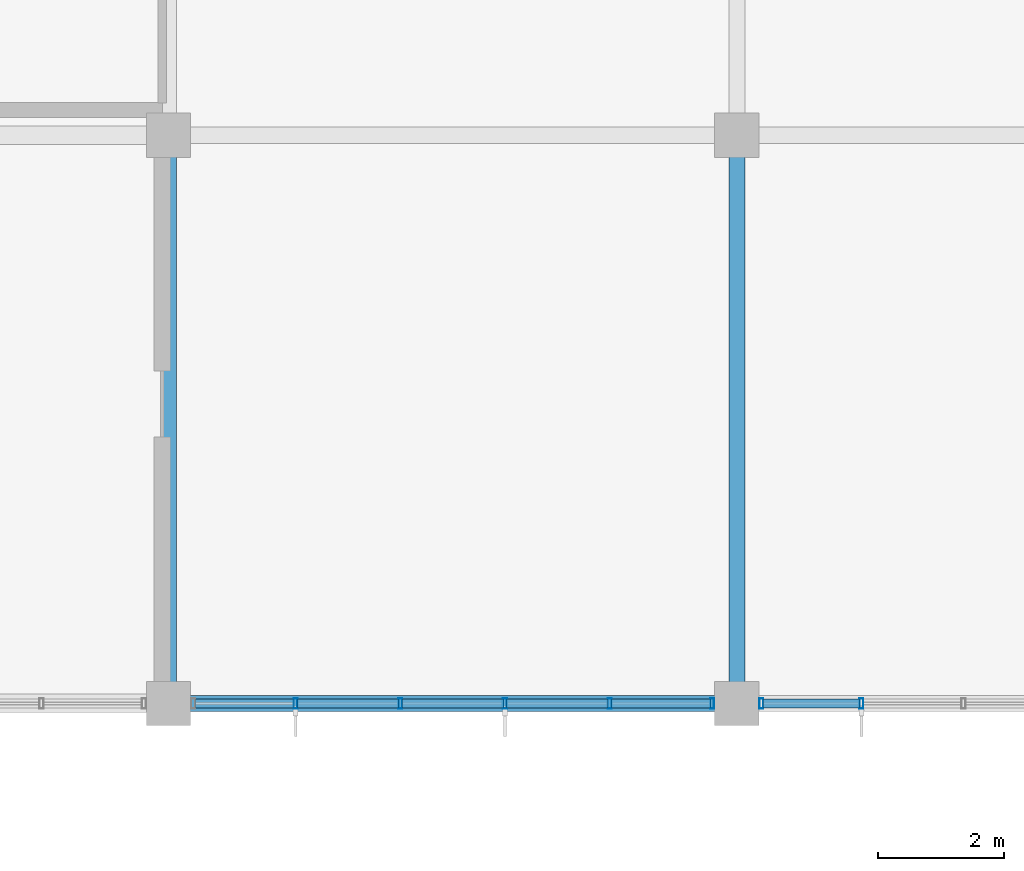
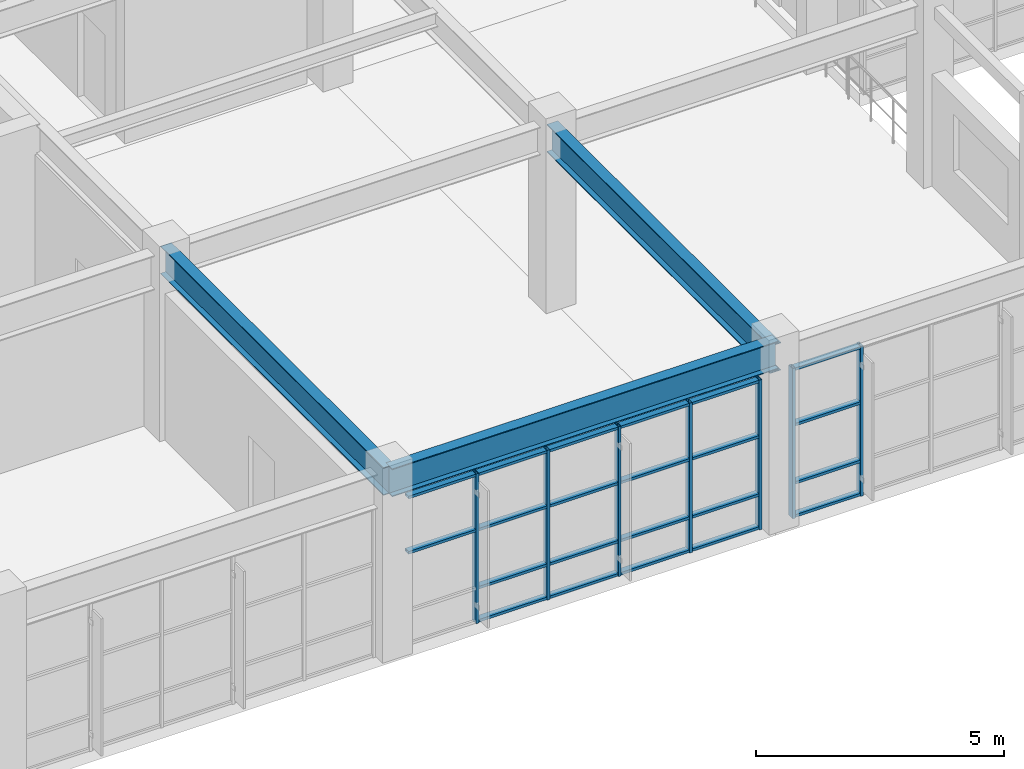
# One storey, part 16 of 99: 29 members, 3 beams, 2 elements without a shape of their own.
"""IFC4 building model written with IfcOpenShell, lengths in metres."""

from ifc_helpers import new_model, si_unit, direction, frame, origin, origin_2d, place, context, subcontext, project, spatial, hollow_rectangle, i_section, extrude, material, layer, layer_set, material_profile, profile_set, type_object, element, aggregate, save


model = new_model("IFC4")

# Units and contexts
model_context = context("Model", 3, precision=1e-05, world=origin(), true_north=direction((0.0, 1.0)))
body_context = subcontext(model_context, "Body", "Model", "MODEL_VIEW")
ifc_project = project(units=[si_unit("LENGTHUNIT", "METRE"), si_unit("AREAUNIT", "SQUARE_METRE"), si_unit("VOLUMEUNIT", "CUBIC_METRE"), si_unit("PLANEANGLEUNIT", "RADIAN"), si_unit("MASSUNIT", "GRAM", prefix="KILO")], contexts=[model_context])

# Site, building, storey
site_placement = place(None, origin())
site = spatial("IfcSite", under=ifc_project, at=site_placement, CompositionType="ELEMENT")
building_placement = place(site_placement, origin())
building = spatial("IfcBuilding", under=site, at=building_placement, Name="Ventoquebrada Cableway Terminal", CompositionType="ELEMENT")
storey_placement = place(building_placement, frame((0.0, 0.0, 9.60009765625)))
storey = spatial("IfcBuildingStorey", under=building, at=storey_placement, Name="L02", CompositionType="ELEMENT", Elevation=9.60009765625)

# Beams
ifc_material_1 = material(Name="Steel ASTM A992 Grade 50", Category="steel")
ifc_material_profile_1 = material_profile(ifc_material_1, i_section(OverallWidth=0.25390625, OverallDepth=0.68798828125, WebThickness=0.01318359375, FlangeThickness=0.02099609375, at=origin_2d()), Name="W27X102")
ifc_profile_set_1 = profile_set([ifc_material_profile_1], Name="Steel ASTM A992 Grade 50")
beam_type = type_object("IfcBeamType", Name="BM-ST04", PredefinedType="BEAM", material=ifc_profile_set_1)
for number, where, z_axis, x_axis, name in (
    (1, (17.199951171875, 68.0, 4.185791015625), (1.0, 0.0, 0.0), (0.0, 1.0, 0.0), "Primary frame girder FBM-0439"),
    (2, (17.199951171875, 68.0, 4.185791015625), (0.0, 1.0, 0.0), (-1.0, 0.0, 0.0), "Primary frame girder FBM-0469"),
    (3, (26.199951171875, 68.0, 4.035888671875), (0.0, 1.0, 0.0), (-1.0, 0.0, 0.0), "Primary frame girder FBM-0474"),
):
    element("IfcBeam", number, at=place(storey_placement, frame(where, z_axis=z_axis, x_axis=x_axis)), inside=storey, type_object=beam_type, Name=name, PredefinedType="BEAM", context=body_context, shape_type="SweptSolid", body=[
        extrude(i_section(OverallWidth=0.25390625, OverallDepth=0.68798828125, WebThickness=0.01318359375, FlangeThickness=0.02099609375, at=origin_2d()), origin(), (0.0, 0.0, 1.0), 9.0),
    ])

# Curtain wall, members
ifc_material_2 = material(Name="Anodized thermally-broken aluminium", Category="aluminium")
ifc_layer_1 = layer(ifc_material_2, 0.159912109375)
ifc_layer_set_1 = layer_set([ifc_layer_1], Name="Anodized thermally-broken aluminium")
curtain_wall_type_1 = type_object("IfcCurtainWallType", Name="CW-T18", PredefinedType="USERDEFINED", material=ifc_layer_set_1)
curtain_wall_1_placement = place(storey_placement, origin())
curtain_wall_1 = element("IfcCurtainWall", 4, at=curtain_wall_1_placement, inside=storey, type_object=curtain_wall_type_1, Name="Unitised glazed curtain wall CW-041", ObjectType="UNITISED CURTAIN WALL", PredefinedType="USERDEFINED")
ifc_material_profile_2 = material_profile(ifc_material_2, hollow_rectangle(XDim=0.06494140625, YDim=0.159912109375, WallThickness=0.00390625, at=origin_2d()), Name="CW-MUL-65X160")
ifc_profile_set_2 = profile_set([ifc_material_profile_2], Name="Anodized thermally-broken aluminium")
member_type_1 = type_object("IfcMemberType", Name="CWM-01", PredefinedType="MULLION", material=ifc_profile_set_2)
member_1_placement = place(storey_placement, frame((19.212890625, 68.0, -0.008056640625), z_axis=(0.0, 0.0, 1.0), x_axis=(1.0, 0.0, 0.0)))
member_1 = element("IfcMember", 5, at=member_1_placement, type_object=member_type_1, Name="Curtain wall mullion FML-0185", PredefinedType="MULLION", context=body_context, shape_type="SweptSolid", body=[
    extrude(hollow_rectangle(XDim=0.06494140625, YDim=0.159912109375, WallThickness=0.00390625, at=origin_2d()), origin(), (0.0, 0.0, 1.0), 3.69189453125),
])
member_2_placement = place(storey_placement, frame((20.87109375, 68.0, -0.008056640625), z_axis=(0.0, 0.0, 1.0), x_axis=(1.0, 0.0, 0.0)))
member_2 = element("IfcMember", 6, at=member_2_placement, type_object=member_type_1, Name="Curtain wall mullion FML-0186", PredefinedType="MULLION", context=body_context, shape_type="SweptSolid", body=[
    extrude(hollow_rectangle(XDim=0.06494140625, YDim=0.159912109375, WallThickness=0.00390625, at=origin_2d()), origin(), (0.0, 0.0, 1.0), 3.69189453125),
])
member_3_placement = place(storey_placement, frame((22.529052734375, 68.0, -0.008056640625), z_axis=(0.0, 0.0, 1.0), x_axis=(1.0, 0.0, 0.0)))
member_3 = element("IfcMember", 7, at=member_3_placement, type_object=member_type_1, Name="Curtain wall mullion FML-0187", PredefinedType="MULLION", context=body_context, shape_type="SweptSolid", body=[
    extrude(hollow_rectangle(XDim=0.06494140625, YDim=0.159912109375, WallThickness=0.00390625, at=origin_2d()), origin(), (0.0, 0.0, 1.0), 3.69189453125),
])
member_4_placement = place(storey_placement, frame((24.18701171875, 68.0, -0.008056640625), z_axis=(0.0, 0.0, 1.0), x_axis=(1.0, 0.0, 0.0)))
member_4 = element("IfcMember", 8, at=member_4_placement, type_object=member_type_1, Name="Curtain wall mullion FML-0188", PredefinedType="MULLION", context=body_context, shape_type="SweptSolid", body=[
    extrude(hollow_rectangle(XDim=0.06494140625, YDim=0.159912109375, WallThickness=0.00390625, at=origin_2d()), origin(), (0.0, 0.0, 1.0), 3.69189453125),
])
member_5_placement = place(storey_placement, frame((25.81005859375, 68.0, -0.008056640625), z_axis=(0.0, 0.0, 1.0), x_axis=(1.0, 0.0, 0.0)))
member_5 = element("IfcMember", 9, at=member_5_placement, type_object=member_type_1, Name="Curtain wall mullion FML-0189", PredefinedType="MULLION", context=body_context, shape_type="SweptSolid", body=[
    extrude(hollow_rectangle(XDim=0.06494140625, YDim=0.159912109375, WallThickness=0.00390625, at=origin_2d()), origin(), (0.0, 0.0, 1.0), 3.69189453125),
])

ifc_layer_2 = layer(ifc_material_2, 0.159912109375)
ifc_layer_set_2 = layer_set([ifc_layer_2], Name="Anodized thermally-broken aluminium")
curtain_wall_type_2 = type_object("IfcCurtainWallType", Name="CW-T19", PredefinedType="USERDEFINED", material=ifc_layer_set_2)
curtain_wall_2_placement = place(storey_placement, origin())
curtain_wall_2 = element("IfcCurtainWall", 10, at=curtain_wall_2_placement, inside=storey, type_object=curtain_wall_type_2, Name="Unitised glazed curtain wall CW-042", ObjectType="UNITISED CURTAIN WALL", PredefinedType="USERDEFINED")
member_6_placement = place(storey_placement, frame((26.590087890625, 68.0, -0.008056640625), z_axis=(0.0, 0.0, 1.0), x_axis=(1.0, 0.0, 0.0)))
member_6 = element("IfcMember", 11, at=member_6_placement, type_object=member_type_1, Name="Curtain wall mullion FML-0190", PredefinedType="MULLION", context=body_context, shape_type="SweptSolid", body=[
    extrude(hollow_rectangle(XDim=0.06494140625, YDim=0.159912109375, WallThickness=0.00390625, at=origin_2d()), origin(), (0.0, 0.0, 1.0), 3.699951171875),
])
member_7_placement = place(storey_placement, frame((28.173095703125, 68.0, -0.008056640625), z_axis=(0.0, 0.0, 1.0), x_axis=(1.0, 0.0, 0.0)))
member_7 = element("IfcMember", 12, at=member_7_placement, type_object=member_type_1, Name="Curtain wall mullion FML-0191", PredefinedType="MULLION", context=body_context, shape_type="SweptSolid", body=[
    extrude(hollow_rectangle(XDim=0.06494140625, YDim=0.159912109375, WallThickness=0.00390625, at=origin_2d()), origin(), (0.0, 0.0, 1.0), 3.699951171875),
])

# Member
ifc_material_profile_3 = material_profile(ifc_material_2, hollow_rectangle(XDim=0.06494140625, YDim=0.139892578125, WallThickness=0.00390625, at=origin_2d()), Name="CW-TRN-65X140")
ifc_profile_set_3 = profile_set([ifc_material_profile_3], Name="Anodized thermally-broken aluminium")
member_type_2 = type_object("IfcMemberType", Name="CWT-01", PredefinedType="USERDEFINED", material=ifc_profile_set_3)
member_8_placement = place(storey_placement, frame((17.616943359375, 68.0, 2.281005859375), z_axis=(1.0, 0.0, 0.0), x_axis=(0.0, 0.0, 1.0)))
member_8 = element("IfcMember", 13, at=member_8_placement, type_object=member_type_2, Name="Curtain wall transom FTR-0553", ObjectType="TRANSOM", PredefinedType="USERDEFINED", context=body_context, shape_type="SweptSolid", body=[
    extrude(hollow_rectangle(XDim=0.06494140625, YDim=0.139892578125, WallThickness=0.00390625, at=origin_2d()), origin(), (0.0, 0.0, 1.0), 1.569091796875),
])

member_9_placement = place(storey_placement, frame((17.616943359375, 68.0, 3.643798828125), z_axis=(1.0, 0.0, 0.0), x_axis=(0.0, 0.0, 1.0)))
member_9 = element("IfcMember", 14, at=member_9_placement, type_object=member_type_2, Name="Curtain wall transom FTR-0554", ObjectType="TRANSOM", PredefinedType="USERDEFINED", context=body_context, shape_type="SweptSolid", body=[
    extrude(hollow_rectangle(XDim=0.06494140625, YDim=0.139892578125, WallThickness=0.00390625, at=origin_2d()), origin(), (0.0, 0.0, 1.0), 1.569091796875),
])

member_10_placement = place(storey_placement, frame((19.240966796875, 68.0, 0.034912109375), z_axis=(1.0, 0.0, 0.0), x_axis=(0.0, 0.0, 1.0)))
member_10 = element("IfcMember", 15, at=member_10_placement, type_object=member_type_2, Name="Curtain wall transom FTR-0555", ObjectType="TRANSOM", PredefinedType="USERDEFINED", context=body_context, shape_type="SweptSolid", body=[
    extrude(hollow_rectangle(XDim=0.06494140625, YDim=0.139892578125, WallThickness=0.00390625, at=origin_2d()), origin(), (0.0, 0.0, 1.0), 1.60205078125),
])

member_11_placement = place(storey_placement, frame((19.240966796875, 68.0, 0.849853515625), z_axis=(1.0, 0.0, 0.0), x_axis=(0.0, 0.0, 1.0)))
member_11 = element("IfcMember", 16, at=member_11_placement, type_object=member_type_2, Name="Curtain wall transom FTR-0556", ObjectType="TRANSOM", PredefinedType="USERDEFINED", context=body_context, shape_type="SweptSolid", body=[
    extrude(hollow_rectangle(XDim=0.06494140625, YDim=0.139892578125, WallThickness=0.00390625, at=origin_2d()), origin(), (0.0, 0.0, 1.0), 1.60205078125),
])

member_12_placement = place(storey_placement, frame((19.240966796875, 68.0, 2.281005859375), z_axis=(1.0, 0.0, 0.0), x_axis=(0.0, 0.0, 1.0)))
member_12 = element("IfcMember", 17, at=member_12_placement, type_object=member_type_2, Name="Curtain wall transom FTR-0557", ObjectType="TRANSOM", PredefinedType="USERDEFINED", context=body_context, shape_type="SweptSolid", body=[
    extrude(hollow_rectangle(XDim=0.06494140625, YDim=0.139892578125, WallThickness=0.00390625, at=origin_2d()), origin(), (0.0, 0.0, 1.0), 1.60205078125),
])

member_13_placement = place(storey_placement, frame((19.240966796875, 68.0, 3.643798828125), z_axis=(1.0, 0.0, 0.0), x_axis=(0.0, 0.0, 1.0)))
member_13 = element("IfcMember", 18, at=member_13_placement, type_object=member_type_2, Name="Curtain wall transom FTR-0558", ObjectType="TRANSOM", PredefinedType="USERDEFINED", context=body_context, shape_type="SweptSolid", body=[
    extrude(hollow_rectangle(XDim=0.06494140625, YDim=0.139892578125, WallThickness=0.00390625, at=origin_2d()), origin(), (0.0, 0.0, 1.0), 1.60205078125),
])

member_14_placement = place(storey_placement, frame((20.89794921875, 68.0, 0.034912109375), z_axis=(1.0, 0.0, 0.0), x_axis=(0.0, 0.0, 1.0)))
member_14 = element("IfcMember", 19, at=member_14_placement, type_object=member_type_2, Name="Curtain wall transom FTR-0559", ObjectType="TRANSOM", PredefinedType="USERDEFINED", context=body_context, shape_type="SweptSolid", body=[
    extrude(hollow_rectangle(XDim=0.06494140625, YDim=0.139892578125, WallThickness=0.00390625, at=origin_2d()), origin(), (0.0, 0.0, 1.0), 1.60400390625),
])

member_15_placement = place(storey_placement, frame((20.89794921875, 68.0, 0.849853515625), z_axis=(1.0, 0.0, 0.0), x_axis=(0.0, 0.0, 1.0)))
member_15 = element("IfcMember", 20, at=member_15_placement, type_object=member_type_2, Name="Curtain wall transom FTR-0560", ObjectType="TRANSOM", PredefinedType="USERDEFINED", context=body_context, shape_type="SweptSolid", body=[
    extrude(hollow_rectangle(XDim=0.06494140625, YDim=0.139892578125, WallThickness=0.00390625, at=origin_2d()), origin(), (0.0, 0.0, 1.0), 1.60400390625),
])

member_16_placement = place(storey_placement, frame((20.89794921875, 68.0, 2.281005859375), z_axis=(1.0, 0.0, 0.0), x_axis=(0.0, 0.0, 1.0)))
member_16 = element("IfcMember", 21, at=member_16_placement, type_object=member_type_2, Name="Curtain wall transom FTR-0561", ObjectType="TRANSOM", PredefinedType="USERDEFINED", context=body_context, shape_type="SweptSolid", body=[
    extrude(hollow_rectangle(XDim=0.06494140625, YDim=0.139892578125, WallThickness=0.00390625, at=origin_2d()), origin(), (0.0, 0.0, 1.0), 1.60400390625),
])

member_17_placement = place(storey_placement, frame((20.89794921875, 68.0, 3.643798828125), z_axis=(1.0, 0.0, 0.0), x_axis=(0.0, 0.0, 1.0)))
member_17 = element("IfcMember", 22, at=member_17_placement, type_object=member_type_2, Name="Curtain wall transom FTR-0562", ObjectType="TRANSOM", PredefinedType="USERDEFINED", context=body_context, shape_type="SweptSolid", body=[
    extrude(hollow_rectangle(XDim=0.06494140625, YDim=0.139892578125, WallThickness=0.00390625, at=origin_2d()), origin(), (0.0, 0.0, 1.0), 1.60400390625),
])

member_18_placement = place(storey_placement, frame((22.555908203125, 68.0, 0.034912109375), z_axis=(1.0, 0.0, 0.0), x_axis=(0.0, 0.0, 1.0)))
member_18 = element("IfcMember", 23, at=member_18_placement, type_object=member_type_2, Name="Curtain wall transom FTR-0563", ObjectType="TRANSOM", PredefinedType="USERDEFINED", context=body_context, shape_type="SweptSolid", body=[
    extrude(hollow_rectangle(XDim=0.06494140625, YDim=0.139892578125, WallThickness=0.00390625, at=origin_2d()), origin(), (0.0, 0.0, 1.0), 1.60400390625),
])

member_19_placement = place(storey_placement, frame((22.555908203125, 68.0, 0.849853515625), z_axis=(1.0, 0.0, 0.0), x_axis=(0.0, 0.0, 1.0)))
member_19 = element("IfcMember", 24, at=member_19_placement, type_object=member_type_2, Name="Curtain wall transom FTR-0564", ObjectType="TRANSOM", PredefinedType="USERDEFINED", context=body_context, shape_type="SweptSolid", body=[
    extrude(hollow_rectangle(XDim=0.06494140625, YDim=0.139892578125, WallThickness=0.00390625, at=origin_2d()), origin(), (0.0, 0.0, 1.0), 1.60400390625),
])

member_20_placement = place(storey_placement, frame((22.555908203125, 68.0, 2.281005859375), z_axis=(1.0, 0.0, 0.0), x_axis=(0.0, 0.0, 1.0)))
member_20 = element("IfcMember", 25, at=member_20_placement, type_object=member_type_2, Name="Curtain wall transom FTR-0565", ObjectType="TRANSOM", PredefinedType="USERDEFINED", context=body_context, shape_type="SweptSolid", body=[
    extrude(hollow_rectangle(XDim=0.06494140625, YDim=0.139892578125, WallThickness=0.00390625, at=origin_2d()), origin(), (0.0, 0.0, 1.0), 1.60400390625),
])

member_21_placement = place(storey_placement, frame((22.555908203125, 68.0, 3.643798828125), z_axis=(1.0, 0.0, 0.0), x_axis=(0.0, 0.0, 1.0)))
member_21 = element("IfcMember", 26, at=member_21_placement, type_object=member_type_2, Name="Curtain wall transom FTR-0566", ObjectType="TRANSOM", PredefinedType="USERDEFINED", context=body_context, shape_type="SweptSolid", body=[
    extrude(hollow_rectangle(XDim=0.06494140625, YDim=0.139892578125, WallThickness=0.00390625, at=origin_2d()), origin(), (0.0, 0.0, 1.0), 1.60400390625),
])

member_22_placement = place(storey_placement, frame((24.215087890625, 68.0, 0.034912109375), z_axis=(1.0, 0.0, 0.0), x_axis=(0.0, 0.0, 1.0)))
member_22 = element("IfcMember", 27, at=member_22_placement, type_object=member_type_2, Name="Curtain wall transom FTR-0567", ObjectType="TRANSOM", PredefinedType="USERDEFINED", context=body_context, shape_type="SweptSolid", body=[
    extrude(hollow_rectangle(XDim=0.06494140625, YDim=0.139892578125, WallThickness=0.00390625, at=origin_2d()), origin(), (0.0, 0.0, 1.0), 1.56689453125),
])

member_23_placement = place(storey_placement, frame((24.215087890625, 68.0, 0.849853515625), z_axis=(1.0, 0.0, 0.0), x_axis=(0.0, 0.0, 1.0)))
member_23 = element("IfcMember", 28, at=member_23_placement, type_object=member_type_2, Name="Curtain wall transom FTR-0568", ObjectType="TRANSOM", PredefinedType="USERDEFINED", context=body_context, shape_type="SweptSolid", body=[
    extrude(hollow_rectangle(XDim=0.06494140625, YDim=0.139892578125, WallThickness=0.00390625, at=origin_2d()), origin(), (0.0, 0.0, 1.0), 1.56689453125),
])

member_24_placement = place(storey_placement, frame((24.215087890625, 68.0, 2.281005859375), z_axis=(1.0, 0.0, 0.0), x_axis=(0.0, 0.0, 1.0)))
member_24 = element("IfcMember", 29, at=member_24_placement, type_object=member_type_2, Name="Curtain wall transom FTR-0569", ObjectType="TRANSOM", PredefinedType="USERDEFINED", context=body_context, shape_type="SweptSolid", body=[
    extrude(hollow_rectangle(XDim=0.06494140625, YDim=0.139892578125, WallThickness=0.00390625, at=origin_2d()), origin(), (0.0, 0.0, 1.0), 1.56689453125),
])

member_25_placement = place(storey_placement, frame((24.215087890625, 68.0, 3.643798828125), z_axis=(1.0, 0.0, 0.0), x_axis=(0.0, 0.0, 1.0)))
member_25 = element("IfcMember", 30, at=member_25_placement, type_object=member_type_2, Name="Curtain wall transom FTR-0570", ObjectType="TRANSOM", PredefinedType="USERDEFINED", context=body_context, shape_type="SweptSolid", body=[
    extrude(hollow_rectangle(XDim=0.06494140625, YDim=0.139892578125, WallThickness=0.00390625, at=origin_2d()), origin(), (0.0, 0.0, 1.0), 1.56689453125),
])

aggregate(curtain_wall_1, [member_1, member_2, member_3, member_4, member_5, member_8, member_9, member_10, member_11, member_12, member_13, member_14, member_15, member_16, member_17, member_18, member_19, member_20, member_21, member_22, member_23, member_24, member_25])

member_26_placement = place(storey_placement, frame((26.616943359375, 68.0, 0.034912109375), z_axis=(1.0, 0.0, 0.0), x_axis=(0.0, 0.0, 1.0)))
member_26 = element("IfcMember", 31, at=member_26_placement, type_object=member_type_2, Name="Curtain wall transom FTR-0571", ObjectType="TRANSOM", PredefinedType="USERDEFINED", context=body_context, shape_type="SweptSolid", body=[
    extrude(hollow_rectangle(XDim=0.06494140625, YDim=0.139892578125, WallThickness=0.00390625, at=origin_2d()), origin(), (0.0, 0.0, 1.0), 1.529052734375),
])

member_27_placement = place(storey_placement, frame((26.616943359375, 68.0, 0.849853515625), z_axis=(1.0, 0.0, 0.0), x_axis=(0.0, 0.0, 1.0)))
member_27 = element("IfcMember", 32, at=member_27_placement, type_object=member_type_2, Name="Curtain wall transom FTR-0572", ObjectType="TRANSOM", PredefinedType="USERDEFINED", context=body_context, shape_type="SweptSolid", body=[
    extrude(hollow_rectangle(XDim=0.06494140625, YDim=0.139892578125, WallThickness=0.00390625, at=origin_2d()), origin(), (0.0, 0.0, 1.0), 1.529052734375),
])

member_28_placement = place(storey_placement, frame((26.616943359375, 68.0, 2.285888671875), z_axis=(1.0, 0.0, 0.0), x_axis=(0.0, 0.0, 1.0)))
member_28 = element("IfcMember", 33, at=member_28_placement, type_object=member_type_2, Name="Curtain wall transom FTR-0573", ObjectType="TRANSOM", PredefinedType="USERDEFINED", context=body_context, shape_type="SweptSolid", body=[
    extrude(hollow_rectangle(XDim=0.06494140625, YDim=0.139892578125, WallThickness=0.00390625, at=origin_2d()), origin(), (0.0, 0.0, 1.0), 1.529052734375),
])

member_29_placement = place(storey_placement, frame((26.616943359375, 68.0, 3.65185546875), z_axis=(1.0, 0.0, 0.0), x_axis=(0.0, 0.0, 1.0)))
member_29 = element("IfcMember", 34, at=member_29_placement, type_object=member_type_2, Name="Curtain wall transom FTR-0574", ObjectType="TRANSOM", PredefinedType="USERDEFINED", context=body_context, shape_type="SweptSolid", body=[
    extrude(hollow_rectangle(XDim=0.06494140625, YDim=0.139892578125, WallThickness=0.00390625, at=origin_2d()), origin(), (0.0, 0.0, 1.0), 1.529052734375),
])

aggregate(curtain_wall_2, [member_6, member_7, member_26, member_27, member_28, member_29])

save(model, "model.ifc")
